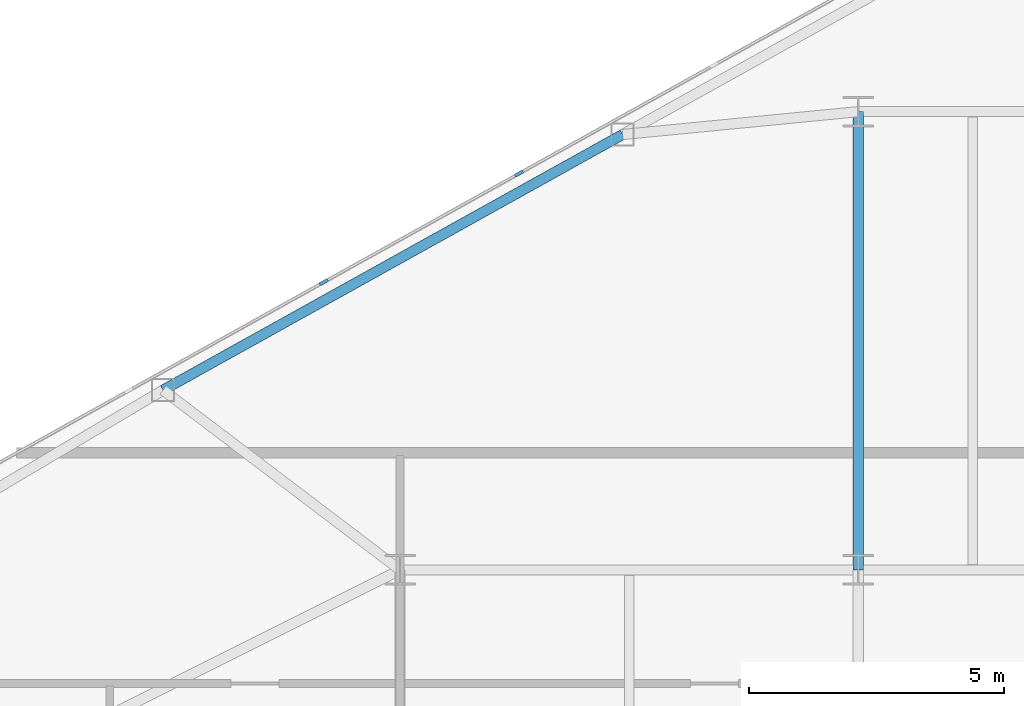
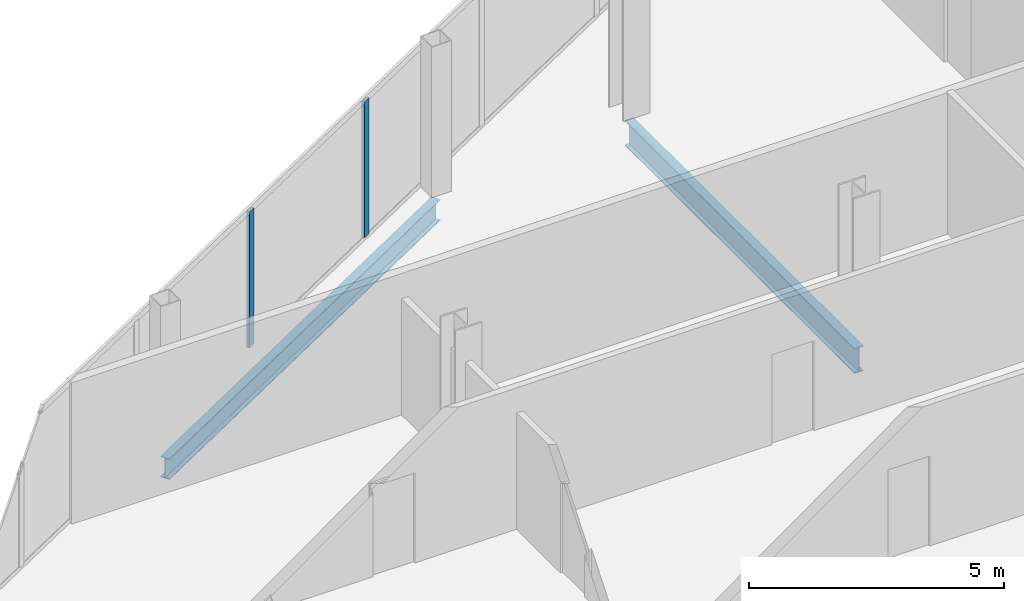
# One storey, part 8 of 26: 2 beams, 2 members, 1 element without a shape of its own.
"""IFC4 building model written with IfcOpenShell, lengths in metres."""

from ifc_helpers import new_model, si_unit, direction, frame, origin, origin_2d, place, context, subcontext, project, spatial, rectangle, i_section, extrude, source, transform, mapped, material, layer, layer_set, material_profile, profile_set, type_object, type_shapes, element, aggregate, save


model = new_model("IFC4")

# Units and contexts
model_context = context("Model", 3, precision=1e-05, world=origin(), true_north=direction((0.0, 1.0)))
body_context = subcontext(model_context, "Body", "Model", "MODEL_VIEW")
ifc_project = project(units=[si_unit("LENGTHUNIT", "METRE"), si_unit("AREAUNIT", "SQUARE_METRE"), si_unit("VOLUMEUNIT", "CUBIC_METRE"), si_unit("PLANEANGLEUNIT", "RADIAN"), si_unit("MASSUNIT", "GRAM", prefix="KILO")], contexts=[model_context])

# Site, building, storey
site_placement = place(None, origin())
site = spatial("IfcSite", under=ifc_project, at=site_placement, CompositionType="ELEMENT")
building_placement = place(site_placement, origin())
building = spatial("IfcBuilding", under=site, at=building_placement, Name="Seokmaru Belvedere", CompositionType="ELEMENT")
storey_placement = place(building_placement, frame((0.0, 0.0, 192.300048828125)))
storey = spatial("IfcBuildingStorey", under=building, at=storey_placement, Name="L51", CompositionType="ELEMENT", Elevation=192.300048828125)

# Beams
ifc_material_1 = material(Name="Steel SM355 (355 MPa)", Category="steel")
ifc_material_profile_1 = material_profile(ifc_material_1, i_section(OverallWidth=0.199951171875, OverallDepth=0.60009765625, WebThickness=0.010986328125, FlangeThickness=0.01708984375, at=origin_2d()), Name="H-600x200x11x17")
ifc_profile_set_1 = profile_set([ifc_material_profile_1], Name="Steel SM355 (355 MPa)")
beam_type_1 = type_object("IfcBeamType", Name="Primary Floor Girder H-600", PredefinedType="BEAM", material=ifc_profile_set_1)
shared_shape_1 = source(origin(), body_context, "Body", "SweptSolid", [
    extrude(i_section(OverallWidth=0.199951171875, OverallDepth=0.60009765625, WebThickness=0.010986328125, FlangeThickness=0.01708984375, at=origin_2d()), origin(), (0.0, 0.0, 1.0), 9.0),
])
type_shapes(beam_type_1, [shared_shape_1])
beam_1_placement = place(storey_placement, frame((-45.5, 4.5, -0.52001953125), z_axis=(0.0, 1.0, 0.0), x_axis=(-1.0, 0.0, 0.0)))
element("IfcBeam", 1, at=beam_1_placement, inside=storey, type_object=beam_type_1, Name="L51 W Interior Grid Girder 3", PredefinedType="BEAM", context=body_context, shape_type="MappedRepresentation", body=[
    mapped(shared_shape_1, transform((0.0, 0.0, 0.0), scale=1.0)),
])
ifc_material_profile_2 = material_profile(ifc_material_1, i_section(OverallWidth=0.199951171875, OverallDepth=0.5, WebThickness=0.010009765625, FlangeThickness=0.01611328125, at=origin_2d()), Name="H-500x200x10x16")
ifc_profile_set_2 = profile_set([ifc_material_profile_2], Name="Steel SM355 (355 MPa)")
beam_type_2 = type_object("IfcBeamType", Name="Perimeter Spandrel Beam H-500", PredefinedType="SPANDREL", material=ifc_profile_set_2)
shared_shape_2 = source(origin(), body_context, "Body", "SweptSolid", [
    extrude(i_section(OverallWidth=0.199951171875, OverallDepth=0.5, WebThickness=0.010009765625, FlangeThickness=0.01611328125, at=origin_2d()), origin(), (0.0, 0.0, 1.0), 10.327392578125),
])
type_shapes(beam_type_2, [shared_shape_2])
beam_2_placement = place(storey_placement, frame((-50.129150390625, 13.051025390625, -0.469970703125), z_axis=(-0.873934162361, -0.48604431882, 0.0), x_axis=(0.48604431882, -0.873934162361, 0.0)))
element("IfcBeam", 2, at=beam_2_placement, inside=storey, type_object=beam_type_2, Name="L51 W Faceted Flank Spandrel N-3", PredefinedType="SPANDREL", context=body_context, shape_type="MappedRepresentation", body=[
    mapped(shared_shape_2, transform((0.0, 0.0, 0.0), scale=1.0)),
])

# Curtain wall, members
ifc_material_2 = material(Name="Bronze Triple Insulating Glass", Category="glass")
ifc_layer = layer(ifc_material_2, 0.179931640625)
ifc_layer_set = layer_set([ifc_layer], Name="Bronze Triple Insulating Glass")
curtain_wall_type = type_object("IfcCurtainWallType", Name="High-Rise Wind-Corner Curtain Wall System CW-5", PredefinedType="NOTDEFINED", material=ifc_layer_set)
curtain_wall_placement = place(storey_placement, origin())
curtain_wall = element("IfcCurtainWall", 3, at=curtain_wall_placement, inside=storey, type_object=curtain_wall_type, Name="L51 Curtain Wall WF3", PredefinedType="NOTDEFINED")
ifc_material_3 = material(Name="Anodised Bronze Aluminium", Category="aluminium")
ifc_material_profile_3 = material_profile(ifc_material_3, rectangle(XDim=0.06494140625, YDim=0.179931640625, at=origin_2d()), Name="CW-M-65x180")
ifc_profile_set_3 = profile_set([ifc_material_profile_3], Name="Anodised Bronze Aluminium")
member_type = type_object("IfcMemberType", Name="Bronze Unitised Mullion 65x180", PredefinedType="MULLION", material=ifc_profile_set_3)
shared_shape_3 = source(origin(), body_context, "Body", "SweptSolid", [
    extrude(rectangle(XDim=0.06494140625, YDim=0.179931640625, at=origin_2d()), origin(), (0.0, 0.0, 1.0), 3.25),
])
type_shapes(member_type, [shared_shape_3])
member_1_placement = place(storey_placement, frame((-52.166015625, 12.2841796875, 0.06494140625), z_axis=(0.0, 0.0, 1.0), x_axis=(0.486047125147, -0.873932601598, 0.0)))
member_1 = element("IfcMember", 4, at=member_1_placement, type_object=member_type, Name="CW:L51:WF3 Mullion 6", PredefinedType="MULLION", context=body_context, shape_type="MappedRepresentation", body=[
    mapped(shared_shape_3, transform((0.0, 0.0, 0.0), scale=1.0)),
])
member_2_placement = place(storey_placement, frame((-55.998291015625, 10.153076171875, 0.06494140625), z_axis=(0.0, 0.0, 1.0), x_axis=(0.486047125147, -0.873932601598, 0.0)))
member_2 = element("IfcMember", 5, at=member_2_placement, type_object=member_type, Name="CW:L51:WF3 Mullion 7", PredefinedType="MULLION", context=body_context, shape_type="MappedRepresentation", body=[
    mapped(shared_shape_3, transform((0.0, 0.0, 0.0), scale=1.0)),
])
aggregate(curtain_wall, [member_1, member_2])

save(model, "model.ifc")
